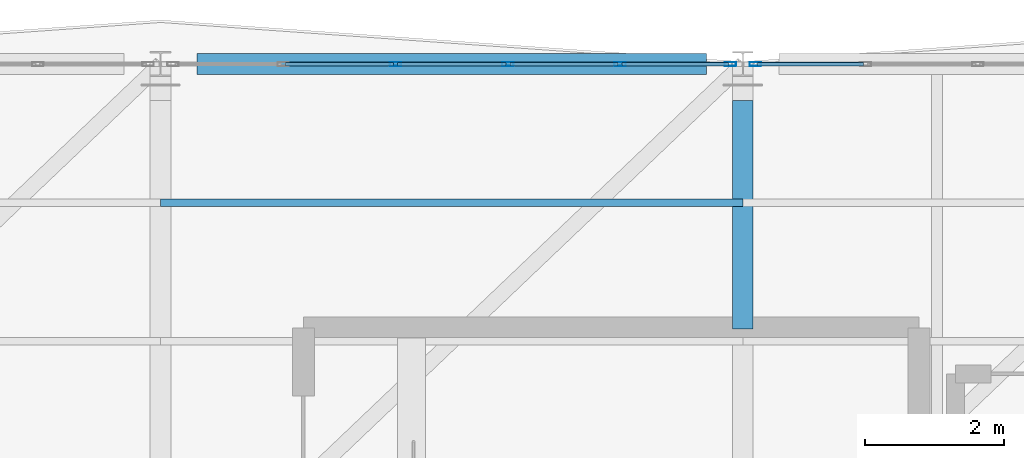
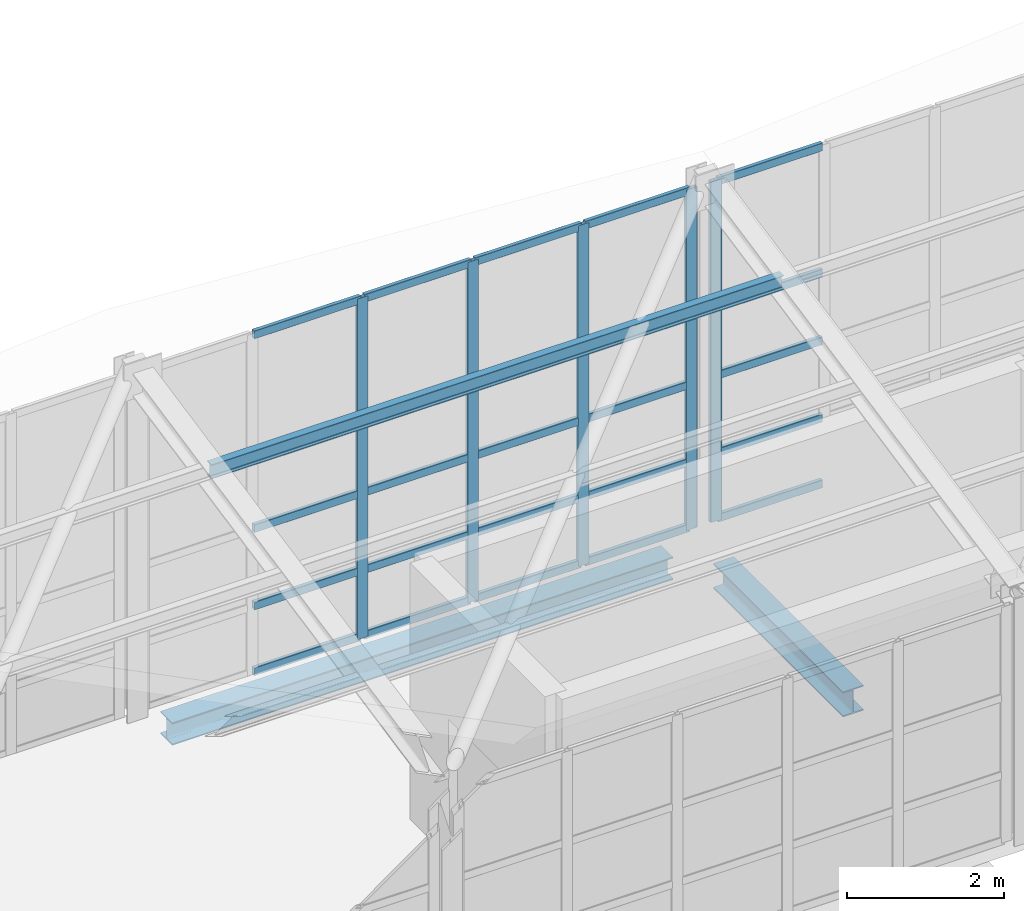
# One storey, part 117 of 177: 31 members, 2 beams, 2 elements without a shape of their own.
"""IFC4 building model written with IfcOpenShell, lengths in metres."""

from ifc_helpers import new_model, si_unit, direction, frame, origin, origin_2d, place, context, subcontext, project, spatial, hollow_rectangle, i_section, extrude, material, layer, layer_set, material_profile, profile_set, type_object, element, aggregate, save


model = new_model("IFC4")

# Units and contexts
model_context = context("Model", 3, precision=1e-05, world=origin(), true_north=direction((0.0, 1.0)))
body_context = subcontext(model_context, "Body", "Model", "MODEL_VIEW")
ifc_project = project(units=[si_unit("LENGTHUNIT", "METRE"), si_unit("AREAUNIT", "SQUARE_METRE"), si_unit("VOLUMEUNIT", "CUBIC_METRE"), si_unit("PLANEANGLEUNIT", "RADIAN"), si_unit("MASSUNIT", "GRAM", prefix="KILO"), si_unit("THERMODYNAMICTEMPERATUREUNIT", "KELVIN"), si_unit("POWERUNIT", "WATT")], contexts=[model_context])

# Site, building, storey
site_placement = place(None, origin())
site = spatial("IfcSite", under=ifc_project, at=site_placement, CompositionType="ELEMENT")
building_placement = place(site_placement, origin())
building = spatial("IfcBuilding", under=site, at=building_placement, Name="Mavoryth Pier Ferry Terminal", CompositionType="ELEMENT")
storey_placement = place(building_placement, frame((0.0, 0.0, 5.43994140625)))
storey = spatial("IfcBuildingStorey", under=building, at=storey_placement, Name="L01", CompositionType="ELEMENT", Elevation=5.43994140625)

# Beam
ifc_material_1 = material(Name="Steel S355J2", Category="steel")
ifc_material_profile_1 = material_profile(ifc_material_1, i_section(OverallWidth=0.300048828125, OverallDepth=0.389892578125, WebThickness=0.010986328125, FlangeThickness=0.01904296875, FilletRadius=0.027099609375, at=origin_2d()), Name="HEA 400", Category="steel")
ifc_profile_set_1 = profile_set([ifc_material_profile_1], Name="Steel S355J2 - HEA 400")
beam_type_1 = type_object("IfcBeamType", Name="Beam-Steel-HEA400", PredefinedType="BEAM", material=ifc_profile_set_1)
beam_1_placement = place(storey_placement, frame((134.39990234375, 110.179931640625, -0.43505859375), z_axis=(0.0, 1.0, 0.0), x_axis=(-1.0, 0.0, 0.0)))
element("IfcBeam", 1, at=beam_1_placement, inside=storey, type_object=beam_type_1, Name="Beam B01-SB04-0288", PredefinedType="BEAM", context=body_context, shape_type="SweptSolid", body=[
    extrude(i_section(OverallWidth=0.300048828125, OverallDepth=0.389892578125, WebThickness=0.010986328125, FlangeThickness=0.01904296875, FilletRadius=0.027099609375, at=origin_2d()), origin(), (0.0, 0.0, 1.0), 3.295166015625),
])

# Curtain wall, members
ifc_material_2 = material(Name="Anodised Aluminium and Solar-Control Low-E Glass", Category="aluminium")
ifc_layer = layer(ifc_material_2, 0.139892578125, Name="Anodised Aluminium and Solar-Control Low-E Glass", Category="aluminium")
ifc_layer_set = layer_set([ifc_layer], Name="Anodised Aluminium and Solar-Control Low-E Glass - CW-Gallery-Mod1600")
curtain_wall_type = type_object("IfcCurtainWallType", Name="CW-Gallery-Mod1600", PredefinedType="USERDEFINED", material=ifc_layer_set)
curtain_wall_1_placement = place(storey_placement, origin())
curtain_wall_1 = element("IfcCurtainWall", 2, at=curtain_wall_1_placement, inside=storey, type_object=curtain_wall_type, Name="Curtain Wall CW-0122-090", ObjectType="UNITISED CURTAIN WALL", PredefinedType="USERDEFINED")
ifc_material_3 = material(Name="Anodised Aluminium EN AW-6063", Category="aluminium")
ifc_material_profile_2 = material_profile(ifc_material_3, hollow_rectangle(XDim=0.06005859375, YDim=0.1650390625, WallThickness=0.00390625, InnerFilletRadius=0.00390625, OuterFilletRadius=0.008056640625, at=origin_2d()), Name="AL-MULL 165x60x4", Category="aluminium")
ifc_profile_set_2 = profile_set([ifc_material_profile_2], Name="Anodised Aluminium EN AW-6063 - AL-MULL 165x60x4")
member_type_1 = type_object("IfcMemberType", Name="Mullion-Alum-165x60", PredefinedType="MULLION", material=ifc_profile_set_2)
member_1_placement = place(storey_placement, frame((134.219970703125, 114.0, 0.0), z_axis=(0.0, 0.0, 1.0), x_axis=(0.0, -1.0, 0.0)))
member_1 = element("IfcMember", 3, at=member_1_placement, type_object=member_type_1, Name="CW05 mullion 1", PredefinedType="MULLION", context=body_context, shape_type="SweptSolid", body=[
    extrude(hollow_rectangle(XDim=0.06005859375, YDim=0.1650390625, WallThickness=0.00390625, InnerFilletRadius=0.00390625, OuterFilletRadius=0.008056640625, at=origin_2d()), origin(), (0.0, 0.0, 1.0), 5.28759765625),
])
member_2_placement = place(storey_placement, frame((132.6298828125, 114.0, 0.0), z_axis=(0.0, 0.0, 1.0), x_axis=(0.0, -1.0, 0.0)))
member_2 = element("IfcMember", 4, at=member_2_placement, type_object=member_type_1, Name="CW05 mullion 2", PredefinedType="MULLION", context=body_context, shape_type="SweptSolid", body=[
    extrude(hollow_rectangle(XDim=0.06005859375, YDim=0.1650390625, WallThickness=0.00390625, InnerFilletRadius=0.00390625, OuterFilletRadius=0.008056640625, at=origin_2d()), origin(), (0.0, 0.0, 1.0), 5.28759765625),
])
member_3_placement = place(storey_placement, frame((131.010009765625, 114.0, 0.0), z_axis=(0.0, 0.0, 1.0), x_axis=(0.0, -1.0, 0.0)))
member_3 = element("IfcMember", 5, at=member_3_placement, type_object=member_type_1, Name="CW05 mullion 3", PredefinedType="MULLION", context=body_context, shape_type="SweptSolid", body=[
    extrude(hollow_rectangle(XDim=0.06005859375, YDim=0.1650390625, WallThickness=0.00390625, InnerFilletRadius=0.00390625, OuterFilletRadius=0.008056640625, at=origin_2d()), origin(), (0.0, 0.0, 1.0), 5.28759765625),
])
member_4_placement = place(storey_placement, frame((129.389892578125, 114.0, 0.0), z_axis=(0.0, 0.0, 1.0), x_axis=(0.0, -1.0, 0.0)))
member_4 = element("IfcMember", 6, at=member_4_placement, type_object=member_type_1, Name="CW05 mullion 4", PredefinedType="MULLION", context=body_context, shape_type="SweptSolid", body=[
    extrude(hollow_rectangle(XDim=0.06005859375, YDim=0.1650390625, WallThickness=0.00390625, InnerFilletRadius=0.00390625, OuterFilletRadius=0.008056640625, at=origin_2d()), origin(), (0.0, 0.0, 1.0), 5.28759765625),
])

# Curtain wall, member
curtain_wall_2_placement = place(storey_placement, origin())
curtain_wall_2 = element("IfcCurtainWall", 7, at=curtain_wall_2_placement, inside=storey, type_object=curtain_wall_type, Name="Curtain Wall CW-0122-092", ObjectType="UNITISED CURTAIN WALL", PredefinedType="USERDEFINED")
member_5_placement = place(storey_placement, frame((134.580078125, 114.0, 0.0), z_axis=(0.0, 0.0, 1.0), x_axis=(0.0, -1.0, 0.0)))
member_5 = element("IfcMember", 8, at=member_5_placement, type_object=member_type_1, Name="CW05 mullion 6", PredefinedType="MULLION", context=body_context, shape_type="SweptSolid", body=[
    extrude(hollow_rectangle(XDim=0.06005859375, YDim=0.1650390625, WallThickness=0.00390625, InnerFilletRadius=0.00390625, OuterFilletRadius=0.008056640625, at=origin_2d()), origin(), (0.0, 0.0, 1.0), 5.28759765625),
])

# Member
ifc_material_profile_3 = material_profile(ifc_material_1, i_section(OverallWidth=0.110107421875, OverallDepth=0.219970703125, WebThickness=0.005859375, FlangeThickness=0.00927734375, FilletRadius=0.011962890625, at=origin_2d()), Name="IPE 220", Category="steel")
ifc_profile_set_3 = profile_set([ifc_material_profile_3], Name="Steel S355J2 - IPE 220")
member_type_2 = type_object("IfcMemberType", Name="Purlin-Roof-IPE220", PredefinedType="PURLIN", material=ifc_profile_set_3)
member_6_placement = place(storey_placement, frame((126.0, 112.0, 4.991943359375), z_axis=(1.0, 0.0, 0.0), x_axis=(0.0, 1.0, 0.0)))
element("IfcMember", 9, at=member_6_placement, inside=storey, type_object=member_type_2, Name="Steel Member MB-L01-0288", PredefinedType="PURLIN", context=body_context, shape_type="SweptSolid", body=[
    extrude(i_section(OverallWidth=0.110107421875, OverallDepth=0.219970703125, WebThickness=0.005859375, FlangeThickness=0.00927734375, FilletRadius=0.011962890625, at=origin_2d()), origin(), (0.0, 0.0, 1.0), 8.39990234375),
])

# Beam
ifc_material_profile_4 = material_profile(ifc_material_1, i_section(OverallWidth=0.300048828125, OverallDepth=0.35009765625, WebThickness=0.010009765625, FlangeThickness=0.017578125, FilletRadius=0.027099609375, at=origin_2d()), Name="HEA 360", Category="steel")
ifc_profile_set_4 = profile_set([ifc_material_profile_4], Name="Steel S355J2 - HEA 360")
beam_type_2 = type_object("IfcBeamType", Name="Spandrel-Steel-HEA360", PredefinedType="SPANDREL", material=ifc_profile_set_4)
beam_2_placement = place(storey_placement, frame((126.52490234375, 114.0, -0.4150390625), z_axis=(1.0, 0.0, 0.0), x_axis=(0.0, 1.0, 0.0)))
element("IfcBeam", 10, at=beam_2_placement, inside=storey, type_object=beam_type_2, Name="Beam B01-SP03-0275", PredefinedType="SPANDREL", context=body_context, shape_type="SweptSolid", body=[
    extrude(i_section(OverallWidth=0.300048828125, OverallDepth=0.35009765625, WebThickness=0.010009765625, FlangeThickness=0.017578125, FilletRadius=0.027099609375, at=origin_2d()), origin(), (0.0, 0.0, 1.0), 7.35009765625),
])

# Member
ifc_material_profile_5 = material_profile(ifc_material_3, hollow_rectangle(XDim=0.06005859375, YDim=0.125, WallThickness=0.00390625, InnerFilletRadius=0.00390625, OuterFilletRadius=0.008056640625, at=origin_2d()), Name="AL-TRAN 125x60x4", Category="aluminium")
ifc_profile_set_5 = profile_set([ifc_material_profile_5], Name="Anodised Aluminium EN AW-6063 - AL-TRAN 125x60x4")
member_type_3 = type_object("IfcMemberType", Name="Transom-Alum-125x60", PredefinedType="USERDEFINED", material=ifc_profile_set_5)
member_7_placement = place(storey_placement, frame((134.18994140625, 114.0, 0.030029296875), z_axis=(-1.0, 0.0, 0.0), x_axis=(0.0, -1.0, 0.0)))
member_7 = element("IfcMember", 11, at=member_7_placement, type_object=member_type_3, Name="CW05 transom 1.1", ObjectType="TRANSOM", PredefinedType="USERDEFINED", context=body_context, shape_type="SweptSolid", body=[
    extrude(hollow_rectangle(XDim=0.06005859375, YDim=0.125, WallThickness=0.00390625, InnerFilletRadius=0.00390625, OuterFilletRadius=0.008056640625, at=origin_2d()), origin(), (0.0, 0.0, 1.0), 1.530029296875),
])

member_8_placement = place(storey_placement, frame((134.18994140625, 114.0, 1.050048828125), z_axis=(-1.0, 0.0, 0.0), x_axis=(0.0, -1.0, 0.0)))
member_8 = element("IfcMember", 12, at=member_8_placement, type_object=member_type_3, Name="CW05 transom 1.2", ObjectType="TRANSOM", PredefinedType="USERDEFINED", context=body_context, shape_type="SweptSolid", body=[
    extrude(hollow_rectangle(XDim=0.06005859375, YDim=0.125, WallThickness=0.00390625, InnerFilletRadius=0.00390625, OuterFilletRadius=0.008056640625, at=origin_2d()), origin(), (0.0, 0.0, 1.0), 1.530029296875),
])

member_9_placement = place(storey_placement, frame((134.18994140625, 114.0, 2.25), z_axis=(-1.0, 0.0, 0.0), x_axis=(0.0, -1.0, 0.0)))
member_9 = element("IfcMember", 13, at=member_9_placement, type_object=member_type_3, Name="CW05 transom 1.3", ObjectType="TRANSOM", PredefinedType="USERDEFINED", context=body_context, shape_type="SweptSolid", body=[
    extrude(hollow_rectangle(XDim=0.06005859375, YDim=0.125, WallThickness=0.00390625, InnerFilletRadius=0.00390625, OuterFilletRadius=0.008056640625, at=origin_2d()), origin(), (0.0, 0.0, 1.0), 1.530029296875),
])

member_10_placement = place(storey_placement, frame((134.18994140625, 114.0, 3.300048828125), z_axis=(-1.0, 0.0, 0.0), x_axis=(0.0, -1.0, 0.0)))
member_10 = element("IfcMember", 14, at=member_10_placement, type_object=member_type_3, Name="CW05 transom 1.4", ObjectType="TRANSOM", PredefinedType="USERDEFINED", context=body_context, shape_type="SweptSolid", body=[
    extrude(hollow_rectangle(XDim=0.06005859375, YDim=0.125, WallThickness=0.00390625, InnerFilletRadius=0.00390625, OuterFilletRadius=0.008056640625, at=origin_2d()), origin(), (0.0, 0.0, 1.0), 1.530029296875),
])

member_11_placement = place(storey_placement, frame((134.18994140625, 114.0, 5.257568359375), z_axis=(-1.0, 0.0, 0.0), x_axis=(0.0, -1.0, 0.0)))
member_11 = element("IfcMember", 15, at=member_11_placement, type_object=member_type_3, Name="CW05 transom 1.5", ObjectType="TRANSOM", PredefinedType="USERDEFINED", context=body_context, shape_type="SweptSolid", body=[
    extrude(hollow_rectangle(XDim=0.06005859375, YDim=0.125, WallThickness=0.00390625, InnerFilletRadius=0.00390625, OuterFilletRadius=0.008056640625, at=origin_2d()), origin(), (0.0, 0.0, 1.0), 1.530029296875),
])

member_12_placement = place(storey_placement, frame((132.60009765625, 114.0, 0.030029296875), z_axis=(-1.0, 0.0, 0.0), x_axis=(0.0, -1.0, 0.0)))
member_12 = element("IfcMember", 16, at=member_12_placement, type_object=member_type_3, Name="CW05 transom 2.1", ObjectType="TRANSOM", PredefinedType="USERDEFINED", context=body_context, shape_type="SweptSolid", body=[
    extrude(hollow_rectangle(XDim=0.06005859375, YDim=0.125, WallThickness=0.00390625, InnerFilletRadius=0.00390625, OuterFilletRadius=0.008056640625, at=origin_2d()), origin(), (0.0, 0.0, 1.0), 1.56005859375),
])

member_13_placement = place(storey_placement, frame((132.60009765625, 114.0, 1.050048828125), z_axis=(-1.0, 0.0, 0.0), x_axis=(0.0, -1.0, 0.0)))
member_13 = element("IfcMember", 17, at=member_13_placement, type_object=member_type_3, Name="CW05 transom 2.2", ObjectType="TRANSOM", PredefinedType="USERDEFINED", context=body_context, shape_type="SweptSolid", body=[
    extrude(hollow_rectangle(XDim=0.06005859375, YDim=0.125, WallThickness=0.00390625, InnerFilletRadius=0.00390625, OuterFilletRadius=0.008056640625, at=origin_2d()), origin(), (0.0, 0.0, 1.0), 1.56005859375),
])

member_14_placement = place(storey_placement, frame((132.60009765625, 114.0, 2.25), z_axis=(-1.0, 0.0, 0.0), x_axis=(0.0, -1.0, 0.0)))
member_14 = element("IfcMember", 18, at=member_14_placement, type_object=member_type_3, Name="CW05 transom 2.3", ObjectType="TRANSOM", PredefinedType="USERDEFINED", context=body_context, shape_type="SweptSolid", body=[
    extrude(hollow_rectangle(XDim=0.06005859375, YDim=0.125, WallThickness=0.00390625, InnerFilletRadius=0.00390625, OuterFilletRadius=0.008056640625, at=origin_2d()), origin(), (0.0, 0.0, 1.0), 1.56005859375),
])

member_15_placement = place(storey_placement, frame((132.60009765625, 114.0, 3.300048828125), z_axis=(-1.0, 0.0, 0.0), x_axis=(0.0, -1.0, 0.0)))
member_15 = element("IfcMember", 19, at=member_15_placement, type_object=member_type_3, Name="CW05 transom 2.4", ObjectType="TRANSOM", PredefinedType="USERDEFINED", context=body_context, shape_type="SweptSolid", body=[
    extrude(hollow_rectangle(XDim=0.06005859375, YDim=0.125, WallThickness=0.00390625, InnerFilletRadius=0.00390625, OuterFilletRadius=0.008056640625, at=origin_2d()), origin(), (0.0, 0.0, 1.0), 1.56005859375),
])

member_16_placement = place(storey_placement, frame((132.60009765625, 114.0, 5.257568359375), z_axis=(-1.0, 0.0, 0.0), x_axis=(0.0, -1.0, 0.0)))
member_16 = element("IfcMember", 20, at=member_16_placement, type_object=member_type_3, Name="CW05 transom 2.5", ObjectType="TRANSOM", PredefinedType="USERDEFINED", context=body_context, shape_type="SweptSolid", body=[
    extrude(hollow_rectangle(XDim=0.06005859375, YDim=0.125, WallThickness=0.00390625, InnerFilletRadius=0.00390625, OuterFilletRadius=0.008056640625, at=origin_2d()), origin(), (0.0, 0.0, 1.0), 1.56005859375),
])

member_17_placement = place(storey_placement, frame((130.97998046875, 114.0, 0.030029296875), z_axis=(-1.0, 0.0, 0.0), x_axis=(0.0, -1.0, 0.0)))
member_17 = element("IfcMember", 21, at=member_17_placement, type_object=member_type_3, Name="CW05 transom 3.1", ObjectType="TRANSOM", PredefinedType="USERDEFINED", context=body_context, shape_type="SweptSolid", body=[
    extrude(hollow_rectangle(XDim=0.06005859375, YDim=0.125, WallThickness=0.00390625, InnerFilletRadius=0.00390625, OuterFilletRadius=0.008056640625, at=origin_2d()), origin(), (0.0, 0.0, 1.0), 1.56005859375),
])

member_18_placement = place(storey_placement, frame((130.97998046875, 114.0, 1.050048828125), z_axis=(-1.0, 0.0, 0.0), x_axis=(0.0, -1.0, 0.0)))
member_18 = element("IfcMember", 22, at=member_18_placement, type_object=member_type_3, Name="CW05 transom 3.2", ObjectType="TRANSOM", PredefinedType="USERDEFINED", context=body_context, shape_type="SweptSolid", body=[
    extrude(hollow_rectangle(XDim=0.06005859375, YDim=0.125, WallThickness=0.00390625, InnerFilletRadius=0.00390625, OuterFilletRadius=0.008056640625, at=origin_2d()), origin(), (0.0, 0.0, 1.0), 1.56005859375),
])

member_19_placement = place(storey_placement, frame((130.97998046875, 114.0, 2.25), z_axis=(-1.0, 0.0, 0.0), x_axis=(0.0, -1.0, 0.0)))
member_19 = element("IfcMember", 23, at=member_19_placement, type_object=member_type_3, Name="CW05 transom 3.3", ObjectType="TRANSOM", PredefinedType="USERDEFINED", context=body_context, shape_type="SweptSolid", body=[
    extrude(hollow_rectangle(XDim=0.06005859375, YDim=0.125, WallThickness=0.00390625, InnerFilletRadius=0.00390625, OuterFilletRadius=0.008056640625, at=origin_2d()), origin(), (0.0, 0.0, 1.0), 1.56005859375),
])

member_20_placement = place(storey_placement, frame((130.97998046875, 114.0, 3.300048828125), z_axis=(-1.0, 0.0, 0.0), x_axis=(0.0, -1.0, 0.0)))
member_20 = element("IfcMember", 24, at=member_20_placement, type_object=member_type_3, Name="CW05 transom 3.4", ObjectType="TRANSOM", PredefinedType="USERDEFINED", context=body_context, shape_type="SweptSolid", body=[
    extrude(hollow_rectangle(XDim=0.06005859375, YDim=0.125, WallThickness=0.00390625, InnerFilletRadius=0.00390625, OuterFilletRadius=0.008056640625, at=origin_2d()), origin(), (0.0, 0.0, 1.0), 1.56005859375),
])

member_21_placement = place(storey_placement, frame((130.97998046875, 114.0, 5.257568359375), z_axis=(-1.0, 0.0, 0.0), x_axis=(0.0, -1.0, 0.0)))
member_21 = element("IfcMember", 25, at=member_21_placement, type_object=member_type_3, Name="CW05 transom 3.5", ObjectType="TRANSOM", PredefinedType="USERDEFINED", context=body_context, shape_type="SweptSolid", body=[
    extrude(hollow_rectangle(XDim=0.06005859375, YDim=0.125, WallThickness=0.00390625, InnerFilletRadius=0.00390625, OuterFilletRadius=0.008056640625, at=origin_2d()), origin(), (0.0, 0.0, 1.0), 1.56005859375),
])

member_22_placement = place(storey_placement, frame((129.360107421875, 114.0, 0.030029296875), z_axis=(-1.0, 0.0, 0.0), x_axis=(0.0, -1.0, 0.0)))
member_22 = element("IfcMember", 26, at=member_22_placement, type_object=member_type_3, Name="CW05 transom 4.1", ObjectType="TRANSOM", PredefinedType="USERDEFINED", context=body_context, shape_type="SweptSolid", body=[
    extrude(hollow_rectangle(XDim=0.06005859375, YDim=0.125, WallThickness=0.00390625, InnerFilletRadius=0.00390625, OuterFilletRadius=0.008056640625, at=origin_2d()), origin(), (0.0, 0.0, 1.0), 1.56005859375),
])

member_23_placement = place(storey_placement, frame((129.360107421875, 114.0, 1.050048828125), z_axis=(-1.0, 0.0, 0.0), x_axis=(0.0, -1.0, 0.0)))
member_23 = element("IfcMember", 27, at=member_23_placement, type_object=member_type_3, Name="CW05 transom 4.2", ObjectType="TRANSOM", PredefinedType="USERDEFINED", context=body_context, shape_type="SweptSolid", body=[
    extrude(hollow_rectangle(XDim=0.06005859375, YDim=0.125, WallThickness=0.00390625, InnerFilletRadius=0.00390625, OuterFilletRadius=0.008056640625, at=origin_2d()), origin(), (0.0, 0.0, 1.0), 1.56005859375),
])

member_24_placement = place(storey_placement, frame((129.360107421875, 114.0, 2.25), z_axis=(-1.0, 0.0, 0.0), x_axis=(0.0, -1.0, 0.0)))
member_24 = element("IfcMember", 28, at=member_24_placement, type_object=member_type_3, Name="CW05 transom 4.3", ObjectType="TRANSOM", PredefinedType="USERDEFINED", context=body_context, shape_type="SweptSolid", body=[
    extrude(hollow_rectangle(XDim=0.06005859375, YDim=0.125, WallThickness=0.00390625, InnerFilletRadius=0.00390625, OuterFilletRadius=0.008056640625, at=origin_2d()), origin(), (0.0, 0.0, 1.0), 1.56005859375),
])

member_25_placement = place(storey_placement, frame((129.360107421875, 114.0, 3.300048828125), z_axis=(-1.0, 0.0, 0.0), x_axis=(0.0, -1.0, 0.0)))
member_25 = element("IfcMember", 29, at=member_25_placement, type_object=member_type_3, Name="CW05 transom 4.4", ObjectType="TRANSOM", PredefinedType="USERDEFINED", context=body_context, shape_type="SweptSolid", body=[
    extrude(hollow_rectangle(XDim=0.06005859375, YDim=0.125, WallThickness=0.00390625, InnerFilletRadius=0.00390625, OuterFilletRadius=0.008056640625, at=origin_2d()), origin(), (0.0, 0.0, 1.0), 1.56005859375),
])

member_26_placement = place(storey_placement, frame((129.360107421875, 114.0, 5.257568359375), z_axis=(-1.0, 0.0, 0.0), x_axis=(0.0, -1.0, 0.0)))
member_26 = element("IfcMember", 30, at=member_26_placement, type_object=member_type_3, Name="CW05 transom 4.5", ObjectType="TRANSOM", PredefinedType="USERDEFINED", context=body_context, shape_type="SweptSolid", body=[
    extrude(hollow_rectangle(XDim=0.06005859375, YDim=0.125, WallThickness=0.00390625, InnerFilletRadius=0.00390625, OuterFilletRadius=0.008056640625, at=origin_2d()), origin(), (0.0, 0.0, 1.0), 1.56005859375),
])

aggregate(curtain_wall_1, [member_1, member_2, member_3, member_4, member_7, member_8, member_9, member_10, member_11, member_12, member_13, member_14, member_15, member_16, member_17, member_18, member_19, member_20, member_21, member_22, member_23, member_24, member_25, member_26])

member_27_placement = place(storey_placement, frame((136.139892578125, 114.0, 0.030029296875), z_axis=(-1.0, 0.0, 0.0), x_axis=(0.0, -1.0, 0.0)))
member_27 = element("IfcMember", 31, at=member_27_placement, type_object=member_type_3, Name="CW05 transom 5.1", ObjectType="TRANSOM", PredefinedType="USERDEFINED", context=body_context, shape_type="SweptSolid", body=[
    extrude(hollow_rectangle(XDim=0.06005859375, YDim=0.125, WallThickness=0.00390625, InnerFilletRadius=0.00390625, OuterFilletRadius=0.008056640625, at=origin_2d()), origin(), (0.0, 0.0, 1.0), 1.52978515625),
])

member_28_placement = place(storey_placement, frame((136.139892578125, 114.0, 1.050048828125), z_axis=(-1.0, 0.0, 0.0), x_axis=(0.0, -1.0, 0.0)))
member_28 = element("IfcMember", 32, at=member_28_placement, type_object=member_type_3, Name="CW05 transom 5.2", ObjectType="TRANSOM", PredefinedType="USERDEFINED", context=body_context, shape_type="SweptSolid", body=[
    extrude(hollow_rectangle(XDim=0.06005859375, YDim=0.125, WallThickness=0.00390625, InnerFilletRadius=0.00390625, OuterFilletRadius=0.008056640625, at=origin_2d()), origin(), (0.0, 0.0, 1.0), 1.52978515625),
])

member_29_placement = place(storey_placement, frame((136.139892578125, 114.0, 2.25), z_axis=(-1.0, 0.0, 0.0), x_axis=(0.0, -1.0, 0.0)))
member_29 = element("IfcMember", 33, at=member_29_placement, type_object=member_type_3, Name="CW05 transom 5.3", ObjectType="TRANSOM", PredefinedType="USERDEFINED", context=body_context, shape_type="SweptSolid", body=[
    extrude(hollow_rectangle(XDim=0.06005859375, YDim=0.125, WallThickness=0.00390625, InnerFilletRadius=0.00390625, OuterFilletRadius=0.008056640625, at=origin_2d()), origin(), (0.0, 0.0, 1.0), 1.52978515625),
])

member_30_placement = place(storey_placement, frame((136.139892578125, 114.0, 3.300048828125), z_axis=(-1.0, 0.0, 0.0), x_axis=(0.0, -1.0, 0.0)))
member_30 = element("IfcMember", 34, at=member_30_placement, type_object=member_type_3, Name="CW05 transom 5.4", ObjectType="TRANSOM", PredefinedType="USERDEFINED", context=body_context, shape_type="SweptSolid", body=[
    extrude(hollow_rectangle(XDim=0.06005859375, YDim=0.125, WallThickness=0.00390625, InnerFilletRadius=0.00390625, OuterFilletRadius=0.008056640625, at=origin_2d()), origin(), (0.0, 0.0, 1.0), 1.52978515625),
])

member_31_placement = place(storey_placement, frame((136.139892578125, 114.0, 5.257568359375), z_axis=(-1.0, 0.0, 0.0), x_axis=(0.0, -1.0, 0.0)))
member_31 = element("IfcMember", 35, at=member_31_placement, type_object=member_type_3, Name="CW05 transom 5.5", ObjectType="TRANSOM", PredefinedType="USERDEFINED", context=body_context, shape_type="SweptSolid", body=[
    extrude(hollow_rectangle(XDim=0.06005859375, YDim=0.125, WallThickness=0.00390625, InnerFilletRadius=0.00390625, OuterFilletRadius=0.008056640625, at=origin_2d()), origin(), (0.0, 0.0, 1.0), 1.52978515625),
])

aggregate(curtain_wall_2, [member_5, member_27, member_28, member_29, member_30, member_31])

save(model, "model.ifc")
